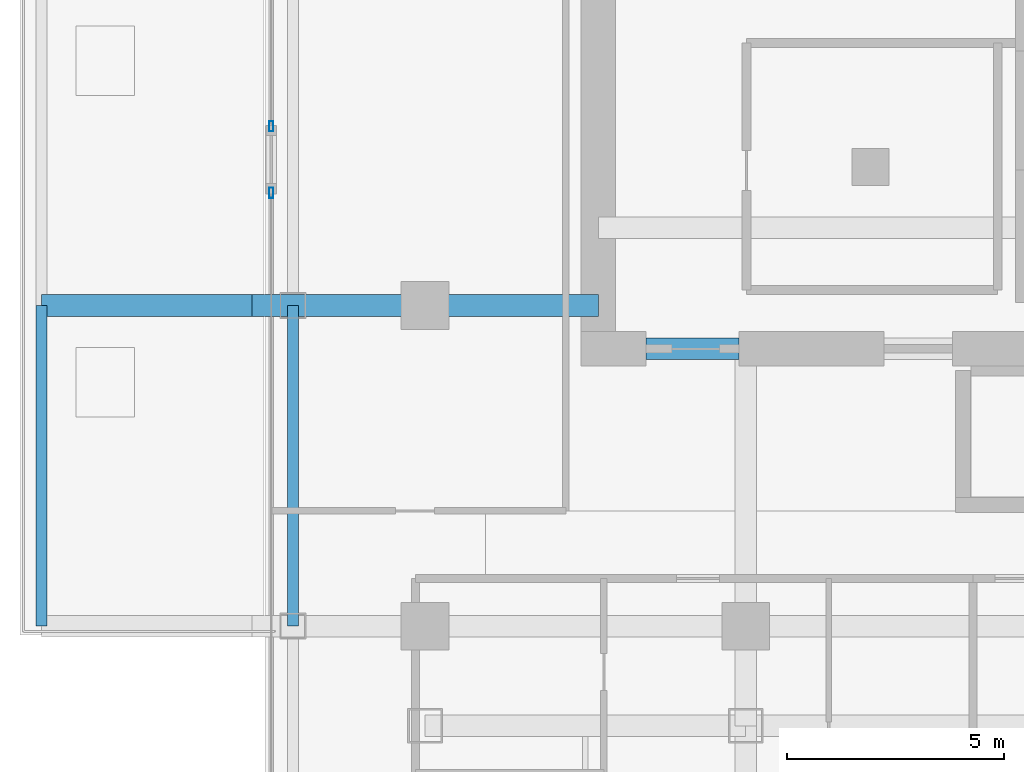
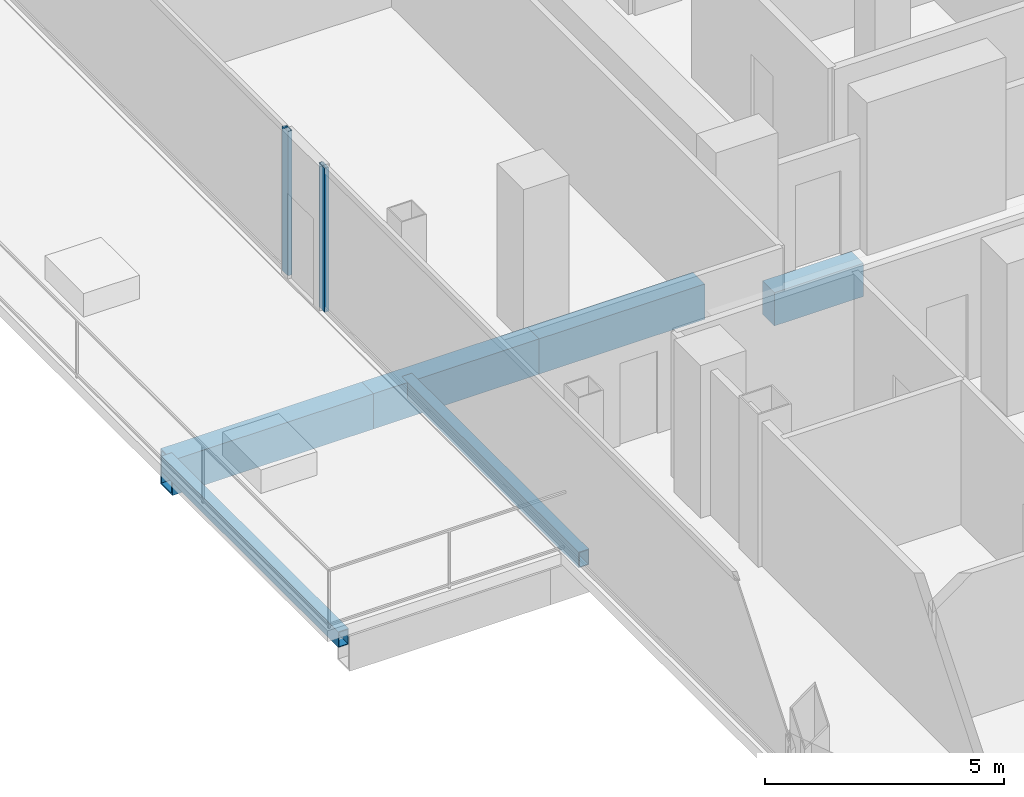
# One storey, part 5 of 26: 6 beams, 2 members, 2 elements without a shape of their own.
"""IFC4 building model written with IfcOpenShell, lengths in metres."""

from ifc_helpers import new_model, si_unit, direction, frame, origin, origin_2d, place, context, subcontext, project, spatial, rectangle, hollow_rectangle, extrude, material, layer, layer_set, material_profile, profile_set, type_object, element, aggregate, save


model = new_model("IFC4")

# Units and contexts
model_context = context("Model", 3, precision=1e-05, world=origin(), true_north=direction((0.0, 1.0)))
body_context = subcontext(model_context, "Body", "Model", "MODEL_VIEW")
ifc_project = project(units=[si_unit("LENGTHUNIT", "METRE"), si_unit("AREAUNIT", "SQUARE_METRE"), si_unit("VOLUMEUNIT", "CUBIC_METRE"), si_unit("PLANEANGLEUNIT", "RADIAN"), si_unit("MASSUNIT", "GRAM", prefix="KILO")], contexts=[model_context])

# Site, building, storey
site_placement = place(None, origin())
site = spatial("IfcSite", under=ifc_project, at=site_placement, CompositionType="ELEMENT")
building_placement = place(site_placement, origin())
building = spatial("IfcBuilding", under=site, at=building_placement, Name="Khorvyn Point Tower", CompositionType="ELEMENT")
storey_placement = place(building_placement, frame((0.0, 0.0, 219.60009765625)))
storey = spatial("IfcBuildingStorey", under=building, at=storey_placement, Name="L54", CompositionType="ELEMENT", Elevation=219.60009765625)

# Curtain wall, member
ifc_material_1 = material(Name="Anodised aluminium 6063-T6 and laminated Low-E glass", Category="aluminium")
ifc_layer = layer(ifc_material_1, 0.18994140625)
ifc_layer_set = layer_set([ifc_layer], Name="Stick-Built Acoustic Curtain Wall CW-SYS-03")
curtain_wall_type = type_object("IfcCurtainWallType", Name="Stick-Built Acoustic Curtain Wall CW-SYS-03", PredefinedType="NOTDEFINED", material=ifc_layer_set)
curtain_wall_1_placement = place(storey_placement, origin())
curtain_wall_1 = element("IfcCurtainWall", 1, at=curtain_wall_1_placement, inside=storey, type_object=curtain_wall_type, Name="Curtain Wall", PredefinedType="NOTDEFINED")
ifc_material_2 = material(Name="Anodised aluminium 6063-T6", Category="aluminium")
ifc_material_profile_1 = material_profile(ifc_material_2, hollow_rectangle(XDim=0.10009765625, YDim=0.239990234375, WallThickness=0.0048828125, at=origin_2d()))
ifc_profile_set_1 = profile_set([ifc_material_profile_1], Name="Anodised aluminium 6063-T6 ALU-MUL-100x240")
member_type = type_object("IfcMemberType", Name="Anodised Aluminium 6063-T6 Mullion ALU-MUL-100x240", PredefinedType="MULLION", material=ifc_profile_set_1)
member_1_placement = place(storey_placement, frame((-18.35009765625, -4.800048828125, 0.0), z_axis=(0.0, 0.0, 1.0), x_axis=(-1.0, 0.0, 0.0)))
member_1 = element("IfcMember", 2, at=member_1_placement, type_object=member_type, Name="Transom", PredefinedType="MULLION", context=body_context, shape_type="SweptSolid", body=[
    extrude(hollow_rectangle(XDim=0.10009765625, YDim=0.239990234375, WallThickness=0.0048828125, at=origin_2d()), origin(), (0.0, 0.0, 1.0), 3.679931640625),
])
aggregate(curtain_wall_1, [member_1])

curtain_wall_2_placement = place(storey_placement, origin())
curtain_wall_2 = element("IfcCurtainWall", 3, at=curtain_wall_2_placement, inside=storey, type_object=curtain_wall_type, Name="Curtain Wall", PredefinedType="NOTDEFINED")
member_2_placement = place(storey_placement, frame((-18.35009765625, -3.260009765625, 0.0), z_axis=(0.0, 0.0, 1.0), x_axis=(-1.0, 0.0, 0.0)))
member_2 = element("IfcMember", 4, at=member_2_placement, type_object=member_type, Name="Transom", PredefinedType="MULLION", context=body_context, shape_type="SweptSolid", body=[
    extrude(hollow_rectangle(XDim=0.10009765625, YDim=0.239990234375, WallThickness=0.0048828125, at=origin_2d()), origin(), (0.0, 0.0, 1.0), 3.679931640625),
])
aggregate(curtain_wall_2, [member_2])

# Beams
ifc_material_3 = material(Name="Concrete C45/55", Category="concrete")
ifc_material_profile_2 = material_profile(ifc_material_3, rectangle(XDim=0.5, YDim=0.85009765625, at=origin_2d()))
ifc_profile_set_2 = profile_set([ifc_material_profile_2], Name="Concrete C45/55 RC500x850")
beam_type_1 = type_object("IfcBeamType", Name="Concrete C45/55 Beam RC500x850", PredefinedType="BEAM", material=ifc_profile_set_2)
beam_1_placement = place(storey_placement, frame((-9.699951171875, -8.39990234375, -0.705078125), z_axis=(1.0, 0.0, 0.0), x_axis=(0.0, 1.0, 0.0)))
element("IfcBeam", 5, at=beam_1_placement, inside=storey, type_object=beam_type_1, Name="L54 Core Southwest Portal Coupling Beam", PredefinedType="BEAM", context=body_context, shape_type="SweptSolid", body=[
    extrude(rectangle(XDim=0.5, YDim=0.85009765625, at=origin_2d()), origin(), (0.0, 0.0, 1.0), 2.14990234375),
])
ifc_material_4 = material(Name="Steel S355", Category="steel")
ifc_material_profile_3 = material_profile(ifc_material_4, hollow_rectangle(XDim=0.25, YDim=0.39990234375, WallThickness=0.01611328125, at=origin_2d()))
ifc_profile_set_3 = profile_set([ifc_material_profile_3], Name="Steel S355 RHS400x250x16")
beam_type_2 = type_object("IfcBeamType", Name="Steel S355 Spandrel RHS400x250x16", PredefinedType="SPANDREL", material=ifc_profile_set_3)
for number, where, z_axis, x_axis, name in (
    (6, (-17.85009765625, -14.800048828125, -0.47998046875), (0.0, 1.0, 0.0), (-1.0, 0.0, 0.0), "Beam"),
    (7, (-23.64990234375, -14.800048828125, -0.47998046875), (0.0, 1.0, 0.0), (-1.0, 0.0, 0.0), "Beam"),
):
    element("IfcBeam", number, at=place(storey_placement, frame(where, z_axis=z_axis, x_axis=x_axis)), inside=storey, type_object=beam_type_2, Name=name, PredefinedType="SPANDREL", context=body_context, shape_type="SweptSolid", body=[
        extrude(hollow_rectangle(XDim=0.25, YDim=0.39990234375, WallThickness=0.01611328125, at=origin_2d()), origin(), (0.0, 0.0, 1.0), 7.400146484375),
    ])
ifc_material_5 = material(Name="Steel S450", Category="steel")
ifc_material_profile_4 = material_profile(ifc_material_5, hollow_rectangle(XDim=0.5, YDim=0.89990234375, WallThickness=0.0400390625, at=origin_2d()))
ifc_profile_set_4 = profile_set([ifc_material_profile_4], Name="Steel S450 BOX900x500x40")
beam_type_3 = type_object("IfcBeamType", Name="Steel S450 Beam BOX900x500x40", PredefinedType="BEAM", material=ifc_profile_set_4)
beam_2_placement = place(storey_placement, frame((-23.64990234375, -7.39990234375, -0.72998046875), z_axis=(1.0, 0.0, 0.0), x_axis=(0.0, 1.0, 0.0)))
element("IfcBeam", 8, at=beam_2_placement, inside=storey, type_object=beam_type_3, Name="Beam", PredefinedType="BEAM", context=body_context, shape_type="SweptSolid", body=[
    extrude(hollow_rectangle(XDim=0.5, YDim=0.89990234375, WallThickness=0.0400390625, at=origin_2d()), origin(), (0.0, 0.0, 1.0), 4.849853515625),
])
for number, where, z_axis, x_axis, name in (
    (9, (-18.800048828125, -7.39990234375, -0.72998046875), (1.0, 0.0, 0.0), (0.0, 1.0, 0.0), "Beam"),
    (10, (-14.800048828125, -7.39990234375, -0.72998046875), (1.0, 0.0, 0.0), (0.0, 1.0, 0.0), "Beam"),
):
    element("IfcBeam", number, at=place(storey_placement, frame(where, z_axis=z_axis, x_axis=x_axis)), inside=storey, type_object=beam_type_3, Name=name, PredefinedType="BEAM", context=body_context, shape_type="SweptSolid", body=[
        extrude(hollow_rectangle(XDim=0.5, YDim=0.89990234375, WallThickness=0.0400390625, at=origin_2d()), origin(), (0.0, 0.0, 1.0), 4.0),
    ])

save(model, "model.ifc")
